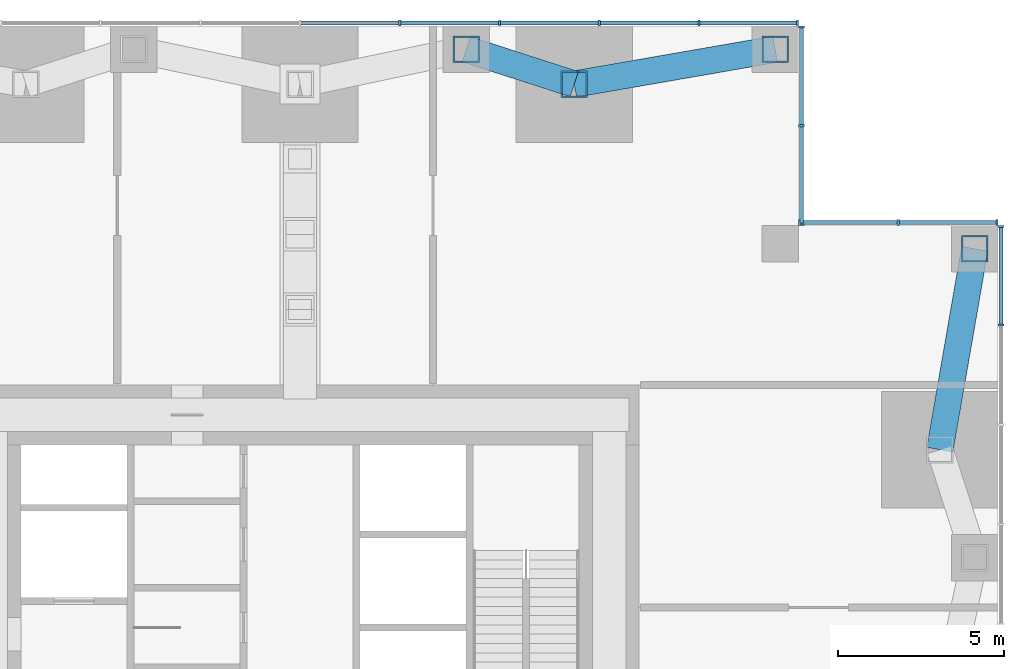
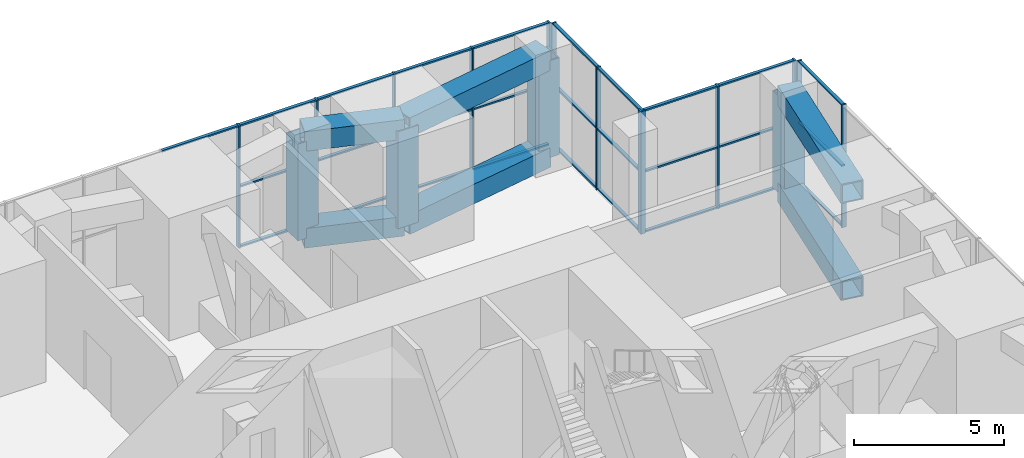
# One storey, part 8 of 13: 51 members, 4 elements without a shape of their own.
"""IFC4 building model written with IfcOpenShell, lengths in metres."""

from ifc_helpers import new_model, si_unit, direction, frame, origin, origin_2d, place, context, subcontext, project, spatial, rectangle, hollow_rectangle, extrude, material, material_profile, profile_set, type_object, element, aggregate, save


model = new_model("IFC4")

# Units and contexts
model_context = context("Model", 3, precision=1e-05, world=origin(), true_north=direction((0.0, 1.0)))
body_context = subcontext(model_context, "Body", "Model", "MODEL_VIEW")
ifc_project = project(units=[si_unit("LENGTHUNIT", "METRE"), si_unit("AREAUNIT", "SQUARE_METRE"), si_unit("VOLUMEUNIT", "CUBIC_METRE"), si_unit("PLANEANGLEUNIT", "RADIAN"), si_unit("MASSUNIT", "GRAM", prefix="KILO")], contexts=[model_context])

# Site, building, storey
site_placement = place(None, origin())
site = spatial("IfcSite", under=ifc_project, at=site_placement, CompositionType="ELEMENT")
building_placement = place(site_placement, origin())
building = spatial("IfcBuilding", under=site, at=building_placement, Name="Svetlomir Tower", CompositionType="ELEMENT")
storey_placement = place(building_placement, frame((0.0, 0.0, 86.5)))
storey = spatial("IfcBuildingStorey", under=building, at=storey_placement, Name="L20", CompositionType="ELEMENT", Elevation=86.5)

# Members
ifc_material_1 = material(Name="Steel S355", Category="steel")
ifc_material_profile_1 = material_profile(ifc_material_1, hollow_rectangle(XDim=0.800048828125, YDim=0.800048828125, WallThickness=0.050048828125, at=origin_2d()), Name="BOX 800x800x50")
ifc_profile_set_1 = profile_set([ifc_material_profile_1], Name="Steel S355")
member_type_1 = type_object("IfcMemberType", Name="BELT FRAME CHORD BOX 800x800x50", PredefinedType="CHORD", material=ifc_profile_set_1)
for number, where, z_axis, x_axis, name in (
    (1, (26.0, 41.300048828125, 0.39990234375), (0.951566360503, -0.307443428225, 0.0), (0.307443428225, 0.951566360503, 0.0), "Belt frame N L20 bottom chord 5"),
    (2, (26.0, 41.300048828125, 4.35009765625), (0.951566360503, -0.307443428225, 0.0), (0.307443428225, 0.951566360503, 0.0), "Belt frame N L20 top chord 5"),
):
    element("IfcMember", number, at=place(storey_placement, frame(where, z_axis=z_axis, x_axis=x_axis)), inside=storey, type_object=member_type_1, Name=name, PredefinedType="CHORD", context=body_context, shape_type="SweptSolid", body=[
        extrude(hollow_rectangle(XDim=0.800048828125, YDim=0.800048828125, WallThickness=0.050048828125, at=origin_2d()), origin(), (0.0, 0.0, 1.0), 3.41552734375),
    ])
for number, where, z_axis, x_axis, name in (
    (3, (29.25, 40.25, 0.39990234375), (0.985270350891, 0.171003905378, 0.0), (-0.171003905378, 0.985270350891, 0.0), "Belt frame N L20 bottom chord 6"),
    (4, (29.25, 40.25, 4.35009765625), (0.985270350891, 0.171003905378, 0.0), (-0.171003905378, 0.985270350891, 0.0), "Belt frame N L20 top chord 6"),
    (5, (40.25, 29.25, 0.39990234375), (0.171003905378, 0.985270350891, 0.0), (-0.985270350891, 0.171003905378, 0.0), "Belt frame E L20 bottom chord 6"),
    (6, (40.25, 29.25, 4.35009765625), (0.171003905378, 0.985270350891, 0.0), (-0.985270350891, 0.171003905378, 0.0), "Belt frame E L20 top chord 6"),
):
    element("IfcMember", number, at=place(storey_placement, frame(where, z_axis=z_axis, x_axis=x_axis)), inside=storey, type_object=member_type_1, Name=name, PredefinedType="CHORD", context=body_context, shape_type="SweptSolid", body=[
        extrude(hollow_rectangle(XDim=0.800048828125, YDim=0.800048828125, WallThickness=0.050048828125, at=origin_2d()), origin(), (0.0, 0.0, 1.0), 6.140380859375),
    ])
ifc_material_2 = material(Name="Steel S355", Category="steel")
ifc_material_profile_2 = material_profile(ifc_material_2, hollow_rectangle(XDim=0.800048828125, YDim=0.800048828125, WallThickness=0.050048828125, at=origin_2d()), Name="BOX 800x800x50")
ifc_profile_set_2 = profile_set([ifc_material_profile_2], Name="Steel S355")
member_type_2 = type_object("IfcMemberType", Name="BELT FRAME POST BOX 800x800x50", PredefinedType="POST", material=ifc_profile_set_2)
for number, where, z_axis, x_axis, name in (
    (7, (26.0, 41.300048828125, 0.39990234375), (0.0, 0.0, 1.0), (1.0, 0.0, 0.0), "Belt frame N L20 post 5"),
    (8, (29.25, 40.25, 0.39990234375), (0.0, 0.0, 1.0), (1.0, 0.0, 0.0), "Belt frame N L20 post 6"),
    (9, (35.300048828125, 41.300048828125, 0.39990234375), (0.0, 0.0, 1.0), (1.0, 0.0, 0.0), "Belt frame N L20 post 7"),
    (10, (41.300048828125, 35.300048828125, 0.39990234375), (0.0, 0.0, 1.0), (1.0, 0.0, 0.0), "Belt frame E L20 post 7"),
):
    element("IfcMember", number, at=place(storey_placement, frame(where, z_axis=z_axis, x_axis=x_axis)), inside=storey, type_object=member_type_2, Name=name, PredefinedType="POST", context=body_context, shape_type="SweptSolid", body=[
        extrude(hollow_rectangle(XDim=0.800048828125, YDim=0.800048828125, WallThickness=0.050048828125, at=origin_2d()), origin(), (0.0, 0.0, 1.0), 3.9501953125),
    ])

# Curtain wall, members
ifc_material_3 = material(Name="Bronze anodised aluminium curtain wall", Category="aluminium")
curtain_wall_type = type_object("IfcCurtainWallType", Name="CURTAIN WALL CW3 PLANT LOUVRE", PredefinedType="NOTDEFINED", material=ifc_material_3)
curtain_wall_1_placement = place(storey_placement, origin())
curtain_wall_1 = element("IfcCurtainWall", 11, at=curtain_wall_1_placement, inside=storey, type_object=curtain_wall_type, Name="Curtain wall CW3 L20", PredefinedType="NOTDEFINED")
ifc_material_4 = material(Name="Bronze anodised aluminium", Category="aluminium")
ifc_material_profile_3 = material_profile(ifc_material_4, rectangle(XDim=0.06494140625, YDim=0.179931640625, at=origin_2d()), Name="AL 65x180")
ifc_profile_set_3 = profile_set([ifc_material_profile_3], Name="Bronze anodised aluminium 6063-T6")
member_type_3 = type_object("IfcMemberType", Name="CW3 MULLION 65x180", PredefinedType="MULLION", material=ifc_profile_set_3)
member_1_placement = place(storey_placement, frame((42.090087890625, 33.0, 0.0), z_axis=(0.0, 0.0, 1.0), x_axis=(0.0, 1.0, 0.0)))
member_1 = element("IfcMember", 12, at=member_1_placement, type_object=member_type_3, Name="CW3 mullion 10", PredefinedType="MULLION", context=body_context, shape_type="SweptSolid", body=[
    extrude(rectangle(XDim=0.06494140625, YDim=0.179931640625, at=origin_2d()), origin(), (0.0, 0.0, 1.0), 5.0),
])
member_2_placement = place(storey_placement, frame((42.090087890625, 35.967529296875, 0.0), z_axis=(0.0, 0.0, 1.0), x_axis=(0.0, 1.0, 0.0)))
member_2 = element("IfcMember", 13, at=member_2_placement, type_object=member_type_3, Name="CW3 mullion 11", PredefinedType="MULLION", context=body_context, shape_type="SweptSolid", body=[
    extrude(rectangle(XDim=0.06494140625, YDim=0.179931640625, at=origin_2d()), origin(), (0.0, 0.0, 1.0), 5.0),
])

curtain_wall_2_placement = place(storey_placement, origin())
curtain_wall_2 = element("IfcCurtainWall", 14, at=curtain_wall_2_placement, inside=storey, type_object=curtain_wall_type, Name="Curtain wall CW3 L20", PredefinedType="NOTDEFINED")
member_3_placement = place(storey_placement, frame((41.967529296875, 36.090087890625, 0.0), z_axis=(0.0, 0.0, 1.0), x_axis=(-1.0, 0.0, 0.0)))
member_3 = element("IfcMember", 15, at=member_3_placement, type_object=member_type_3, Name="CW3 mullion 1", PredefinedType="MULLION", context=body_context, shape_type="SweptSolid", body=[
    extrude(rectangle(XDim=0.06494140625, YDim=0.179931640625, at=origin_2d()), origin(), (0.0, 0.0, 1.0), 5.0),
])
member_4_placement = place(storey_placement, frame((39.0, 36.090087890625, 0.0), z_axis=(0.0, 0.0, 1.0), x_axis=(-1.0, 0.0, 0.0)))
member_4 = element("IfcMember", 16, at=member_4_placement, type_object=member_type_3, Name="CW3 mullion 2", PredefinedType="MULLION", context=body_context, shape_type="SweptSolid", body=[
    extrude(rectangle(XDim=0.06494140625, YDim=0.179931640625, at=origin_2d()), origin(), (0.0, 0.0, 1.0), 5.0),
])
member_5_placement = place(storey_placement, frame((36.032470703125, 36.090087890625, 0.0), z_axis=(0.0, 0.0, 1.0), x_axis=(-1.0, 0.0, 0.0)))
member_5 = element("IfcMember", 17, at=member_5_placement, type_object=member_type_3, Name="CW3 mullion 3", PredefinedType="MULLION", context=body_context, shape_type="SweptSolid", body=[
    extrude(rectangle(XDim=0.06494140625, YDim=0.179931640625, at=origin_2d()), origin(), (0.0, 0.0, 1.0), 5.0),
])

curtain_wall_3_placement = place(storey_placement, origin())
curtain_wall_3 = element("IfcCurtainWall", 18, at=curtain_wall_3_placement, inside=storey, type_object=curtain_wall_type, Name="Curtain wall CW3 L20", PredefinedType="NOTDEFINED")
member_6_placement = place(storey_placement, frame((36.090087890625, 36.032470703125, 0.0), z_axis=(0.0, 0.0, 1.0), x_axis=(0.0, 1.0, 0.0)))
member_6 = element("IfcMember", 19, at=member_6_placement, type_object=member_type_3, Name="CW3 mullion 1", PredefinedType="MULLION", context=body_context, shape_type="SweptSolid", body=[
    extrude(rectangle(XDim=0.06494140625, YDim=0.179931640625, at=origin_2d()), origin(), (0.0, 0.0, 1.0), 5.0),
])
member_7_placement = place(storey_placement, frame((36.090087890625, 39.0, 0.0), z_axis=(0.0, 0.0, 1.0), x_axis=(0.0, 1.0, 0.0)))
member_7 = element("IfcMember", 20, at=member_7_placement, type_object=member_type_3, Name="CW3 mullion 2", PredefinedType="MULLION", context=body_context, shape_type="SweptSolid", body=[
    extrude(rectangle(XDim=0.06494140625, YDim=0.179931640625, at=origin_2d()), origin(), (0.0, 0.0, 1.0), 5.0),
])
member_8_placement = place(storey_placement, frame((36.090087890625, 41.967529296875, 0.0), z_axis=(0.0, 0.0, 1.0), x_axis=(0.0, 1.0, 0.0)))
member_8 = element("IfcMember", 21, at=member_8_placement, type_object=member_type_3, Name="CW3 mullion 3", PredefinedType="MULLION", context=body_context, shape_type="SweptSolid", body=[
    extrude(rectangle(XDim=0.06494140625, YDim=0.179931640625, at=origin_2d()), origin(), (0.0, 0.0, 1.0), 5.0),
])

curtain_wall_4_placement = place(storey_placement, origin())
curtain_wall_4 = element("IfcCurtainWall", 22, at=curtain_wall_4_placement, inside=storey, type_object=curtain_wall_type, Name="Curtain wall CW3 L20", PredefinedType="NOTDEFINED")
member_9_placement = place(storey_placement, frame((35.967529296875, 42.090087890625, 0.0), z_axis=(0.0, 0.0, 1.0), x_axis=(-1.0, 0.0, 0.0)))
member_9 = element("IfcMember", 23, at=member_9_placement, type_object=member_type_3, Name="CW3 mullion 1", PredefinedType="MULLION", context=body_context, shape_type="SweptSolid", body=[
    extrude(rectangle(XDim=0.06494140625, YDim=0.179931640625, at=origin_2d()), origin(), (0.0, 0.0, 1.0), 5.0),
])
member_10_placement = place(storey_placement, frame((33.0, 42.090087890625, 0.0), z_axis=(0.0, 0.0, 1.0), x_axis=(-1.0, 0.0, 0.0)))
member_10 = element("IfcMember", 24, at=member_10_placement, type_object=member_type_3, Name="CW3 mullion 2", PredefinedType="MULLION", context=body_context, shape_type="SweptSolid", body=[
    extrude(rectangle(XDim=0.06494140625, YDim=0.179931640625, at=origin_2d()), origin(), (0.0, 0.0, 1.0), 5.0),
])
member_11_placement = place(storey_placement, frame((30.0, 42.090087890625, 0.0), z_axis=(0.0, 0.0, 1.0), x_axis=(-1.0, 0.0, 0.0)))
member_11 = element("IfcMember", 25, at=member_11_placement, type_object=member_type_3, Name="CW3 mullion 3", PredefinedType="MULLION", context=body_context, shape_type="SweptSolid", body=[
    extrude(rectangle(XDim=0.06494140625, YDim=0.179931640625, at=origin_2d()), origin(), (0.0, 0.0, 1.0), 5.0),
])
member_12_placement = place(storey_placement, frame((27.0, 42.090087890625, 0.0), z_axis=(0.0, 0.0, 1.0), x_axis=(-1.0, 0.0, 0.0)))
member_12 = element("IfcMember", 26, at=member_12_placement, type_object=member_type_3, Name="CW3 mullion 4", PredefinedType="MULLION", context=body_context, shape_type="SweptSolid", body=[
    extrude(rectangle(XDim=0.06494140625, YDim=0.179931640625, at=origin_2d()), origin(), (0.0, 0.0, 1.0), 5.0),
])
member_13_placement = place(storey_placement, frame((24.0, 42.090087890625, 0.0), z_axis=(0.0, 0.0, 1.0), x_axis=(-1.0, 0.0, 0.0)))
member_13 = element("IfcMember", 27, at=member_13_placement, type_object=member_type_3, Name="CW3 mullion 5", PredefinedType="MULLION", context=body_context, shape_type="SweptSolid", body=[
    extrude(rectangle(XDim=0.06494140625, YDim=0.179931640625, at=origin_2d()), origin(), (0.0, 0.0, 1.0), 5.0),
])

# Member
ifc_material_5 = material(Name="Bronze anodised aluminium", Category="aluminium")
ifc_material_profile_4 = material_profile(ifc_material_5, rectangle(XDim=0.1201171875, YDim=0.06494140625, at=origin_2d()), Name="AL 120x65")
ifc_profile_set_4 = profile_set([ifc_material_profile_4], Name="Bronze anodised aluminium 6063-T6")
member_type_4 = type_object("IfcMemberType", Name="CW3 TRANSOM 65x120", PredefinedType="USERDEFINED", material=ifc_profile_set_4)
member_14_placement = place(storey_placement, frame((42.090087890625, 33.032470703125, 0.032470703125), z_axis=(0.0, 1.0, 0.0), x_axis=(-1.0, 0.0, 0.0)))
member_14 = element("IfcMember", 28, at=member_14_placement, type_object=member_type_4, Name="CW3 transom 10.1", ObjectType="TRANSOM", PredefinedType="USERDEFINED", context=body_context, shape_type="SweptSolid", body=[
    extrude(rectangle(XDim=0.1201171875, YDim=0.06494140625, at=origin_2d()), origin(), (0.0, 0.0, 1.0), 2.902587890625),
])

member_15_placement = place(storey_placement, frame((42.090087890625, 33.032470703125, 2.48388671875), z_axis=(0.0, 1.0, 0.0), x_axis=(-1.0, 0.0, 0.0)))
member_15 = element("IfcMember", 29, at=member_15_placement, type_object=member_type_4, Name="CW3 transom 10.2", ObjectType="TRANSOM", PredefinedType="USERDEFINED", context=body_context, shape_type="SweptSolid", body=[
    extrude(rectangle(XDim=0.1201171875, YDim=0.06494140625, at=origin_2d()), origin(), (0.0, 0.0, 1.0), 2.902587890625),
])

member_16_placement = place(storey_placement, frame((42.090087890625, 33.032470703125, 4.967529296875), z_axis=(0.0, 1.0, 0.0), x_axis=(-1.0, 0.0, 0.0)))
member_16 = element("IfcMember", 30, at=member_16_placement, type_object=member_type_4, Name="CW3 transom 10.3", ObjectType="TRANSOM", PredefinedType="USERDEFINED", context=body_context, shape_type="SweptSolid", body=[
    extrude(rectangle(XDim=0.1201171875, YDim=0.06494140625, at=origin_2d()), origin(), (0.0, 0.0, 1.0), 2.902587890625),
])

aggregate(curtain_wall_1, [member_1, member_2, member_14, member_15, member_16])

member_17_placement = place(storey_placement, frame((41.93505859375, 36.090087890625, 0.032470703125), z_axis=(-1.0, 0.0, 0.0), x_axis=(0.0, -1.0, 0.0)))
member_17 = element("IfcMember", 31, at=member_17_placement, type_object=member_type_4, Name="CW3 transom 1.1", ObjectType="TRANSOM", PredefinedType="USERDEFINED", context=body_context, shape_type="SweptSolid", body=[
    extrude(rectangle(XDim=0.1201171875, YDim=0.06494140625, at=origin_2d()), origin(), (0.0, 0.0, 1.0), 2.902587890625),
])

member_18_placement = place(storey_placement, frame((41.93505859375, 36.090087890625, 2.48388671875), z_axis=(-1.0, 0.0, 0.0), x_axis=(0.0, -1.0, 0.0)))
member_18 = element("IfcMember", 32, at=member_18_placement, type_object=member_type_4, Name="CW3 transom 1.2", ObjectType="TRANSOM", PredefinedType="USERDEFINED", context=body_context, shape_type="SweptSolid", body=[
    extrude(rectangle(XDim=0.1201171875, YDim=0.06494140625, at=origin_2d()), origin(), (0.0, 0.0, 1.0), 2.902587890625),
])

member_19_placement = place(storey_placement, frame((41.93505859375, 36.090087890625, 4.967529296875), z_axis=(-1.0, 0.0, 0.0), x_axis=(0.0, -1.0, 0.0)))
member_19 = element("IfcMember", 33, at=member_19_placement, type_object=member_type_4, Name="CW3 transom 1.3", ObjectType="TRANSOM", PredefinedType="USERDEFINED", context=body_context, shape_type="SweptSolid", body=[
    extrude(rectangle(XDim=0.1201171875, YDim=0.06494140625, at=origin_2d()), origin(), (0.0, 0.0, 1.0), 2.902587890625),
])

member_20_placement = place(storey_placement, frame((38.967529296875, 36.090087890625, 0.032470703125), z_axis=(-1.0, 0.0, 0.0), x_axis=(0.0, -1.0, 0.0)))
member_20 = element("IfcMember", 34, at=member_20_placement, type_object=member_type_4, Name="CW3 transom 2.1", ObjectType="TRANSOM", PredefinedType="USERDEFINED", context=body_context, shape_type="SweptSolid", body=[
    extrude(rectangle(XDim=0.1201171875, YDim=0.06494140625, at=origin_2d()), origin(), (0.0, 0.0, 1.0), 2.902587890625),
])

member_21_placement = place(storey_placement, frame((38.967529296875, 36.090087890625, 2.48388671875), z_axis=(-1.0, 0.0, 0.0), x_axis=(0.0, -1.0, 0.0)))
member_21 = element("IfcMember", 35, at=member_21_placement, type_object=member_type_4, Name="CW3 transom 2.2", ObjectType="TRANSOM", PredefinedType="USERDEFINED", context=body_context, shape_type="SweptSolid", body=[
    extrude(rectangle(XDim=0.1201171875, YDim=0.06494140625, at=origin_2d()), origin(), (0.0, 0.0, 1.0), 2.902587890625),
])

member_22_placement = place(storey_placement, frame((38.967529296875, 36.090087890625, 4.967529296875), z_axis=(-1.0, 0.0, 0.0), x_axis=(0.0, -1.0, 0.0)))
member_22 = element("IfcMember", 36, at=member_22_placement, type_object=member_type_4, Name="CW3 transom 2.3", ObjectType="TRANSOM", PredefinedType="USERDEFINED", context=body_context, shape_type="SweptSolid", body=[
    extrude(rectangle(XDim=0.1201171875, YDim=0.06494140625, at=origin_2d()), origin(), (0.0, 0.0, 1.0), 2.902587890625),
])

aggregate(curtain_wall_2, [member_3, member_4, member_5, member_17, member_18, member_19, member_20, member_21, member_22])

member_23_placement = place(storey_placement, frame((36.090087890625, 36.06494140625, 0.032470703125), z_axis=(0.0, 1.0, 0.0), x_axis=(-1.0, 0.0, 0.0)))
member_23 = element("IfcMember", 37, at=member_23_placement, type_object=member_type_4, Name="CW3 transom 1.1", ObjectType="TRANSOM", PredefinedType="USERDEFINED", context=body_context, shape_type="SweptSolid", body=[
    extrude(rectangle(XDim=0.1201171875, YDim=0.06494140625, at=origin_2d()), origin(), (0.0, 0.0, 1.0), 2.902587890625),
])

member_24_placement = place(storey_placement, frame((36.090087890625, 36.06494140625, 2.48388671875), z_axis=(0.0, 1.0, 0.0), x_axis=(-1.0, 0.0, 0.0)))
member_24 = element("IfcMember", 38, at=member_24_placement, type_object=member_type_4, Name="CW3 transom 1.2", ObjectType="TRANSOM", PredefinedType="USERDEFINED", context=body_context, shape_type="SweptSolid", body=[
    extrude(rectangle(XDim=0.1201171875, YDim=0.06494140625, at=origin_2d()), origin(), (0.0, 0.0, 1.0), 2.902587890625),
])

member_25_placement = place(storey_placement, frame((36.090087890625, 36.06494140625, 4.967529296875), z_axis=(0.0, 1.0, 0.0), x_axis=(-1.0, 0.0, 0.0)))
member_25 = element("IfcMember", 39, at=member_25_placement, type_object=member_type_4, Name="CW3 transom 1.3", ObjectType="TRANSOM", PredefinedType="USERDEFINED", context=body_context, shape_type="SweptSolid", body=[
    extrude(rectangle(XDim=0.1201171875, YDim=0.06494140625, at=origin_2d()), origin(), (0.0, 0.0, 1.0), 2.902587890625),
])

member_26_placement = place(storey_placement, frame((36.090087890625, 39.032470703125, 0.032470703125), z_axis=(0.0, 1.0, 0.0), x_axis=(-1.0, 0.0, 0.0)))
member_26 = element("IfcMember", 40, at=member_26_placement, type_object=member_type_4, Name="CW3 transom 2.1", ObjectType="TRANSOM", PredefinedType="USERDEFINED", context=body_context, shape_type="SweptSolid", body=[
    extrude(rectangle(XDim=0.1201171875, YDim=0.06494140625, at=origin_2d()), origin(), (0.0, 0.0, 1.0), 2.902587890625),
])

member_27_placement = place(storey_placement, frame((36.090087890625, 39.032470703125, 2.48388671875), z_axis=(0.0, 1.0, 0.0), x_axis=(-1.0, 0.0, 0.0)))
member_27 = element("IfcMember", 41, at=member_27_placement, type_object=member_type_4, Name="CW3 transom 2.2", ObjectType="TRANSOM", PredefinedType="USERDEFINED", context=body_context, shape_type="SweptSolid", body=[
    extrude(rectangle(XDim=0.1201171875, YDim=0.06494140625, at=origin_2d()), origin(), (0.0, 0.0, 1.0), 2.902587890625),
])

member_28_placement = place(storey_placement, frame((36.090087890625, 39.032470703125, 4.967529296875), z_axis=(0.0, 1.0, 0.0), x_axis=(-1.0, 0.0, 0.0)))
member_28 = element("IfcMember", 42, at=member_28_placement, type_object=member_type_4, Name="CW3 transom 2.3", ObjectType="TRANSOM", PredefinedType="USERDEFINED", context=body_context, shape_type="SweptSolid", body=[
    extrude(rectangle(XDim=0.1201171875, YDim=0.06494140625, at=origin_2d()), origin(), (0.0, 0.0, 1.0), 2.902587890625),
])

aggregate(curtain_wall_3, [member_6, member_7, member_8, member_23, member_24, member_25, member_26, member_27, member_28])

member_29_placement = place(storey_placement, frame((35.93505859375, 42.090087890625, 0.032470703125), z_axis=(-1.0, 0.0, 0.0), x_axis=(0.0, -1.0, 0.0)))
member_29 = element("IfcMember", 43, at=member_29_placement, type_object=member_type_4, Name="CW3 transom 1.1", ObjectType="TRANSOM", PredefinedType="USERDEFINED", context=body_context, shape_type="SweptSolid", body=[
    extrude(rectangle(XDim=0.1201171875, YDim=0.06494140625, at=origin_2d()), origin(), (0.0, 0.0, 1.0), 2.902587890625),
])

member_30_placement = place(storey_placement, frame((35.93505859375, 42.090087890625, 2.48388671875), z_axis=(-1.0, 0.0, 0.0), x_axis=(0.0, -1.0, 0.0)))
member_30 = element("IfcMember", 44, at=member_30_placement, type_object=member_type_4, Name="CW3 transom 1.2", ObjectType="TRANSOM", PredefinedType="USERDEFINED", context=body_context, shape_type="SweptSolid", body=[
    extrude(rectangle(XDim=0.1201171875, YDim=0.06494140625, at=origin_2d()), origin(), (0.0, 0.0, 1.0), 2.902587890625),
])

member_31_placement = place(storey_placement, frame((35.93505859375, 42.090087890625, 4.967529296875), z_axis=(-1.0, 0.0, 0.0), x_axis=(0.0, -1.0, 0.0)))
member_31 = element("IfcMember", 45, at=member_31_placement, type_object=member_type_4, Name="CW3 transom 1.3", ObjectType="TRANSOM", PredefinedType="USERDEFINED", context=body_context, shape_type="SweptSolid", body=[
    extrude(rectangle(XDim=0.1201171875, YDim=0.06494140625, at=origin_2d()), origin(), (0.0, 0.0, 1.0), 2.902587890625),
])

member_32_placement = place(storey_placement, frame((32.967529296875, 42.090087890625, 0.032470703125), z_axis=(-1.0, 0.0, 0.0), x_axis=(0.0, -1.0, 0.0)))
member_32 = element("IfcMember", 46, at=member_32_placement, type_object=member_type_4, Name="CW3 transom 2.1", ObjectType="TRANSOM", PredefinedType="USERDEFINED", context=body_context, shape_type="SweptSolid", body=[
    extrude(rectangle(XDim=0.1201171875, YDim=0.06494140625, at=origin_2d()), origin(), (0.0, 0.0, 1.0), 2.93505859375),
])

member_33_placement = place(storey_placement, frame((32.967529296875, 42.090087890625, 2.48388671875), z_axis=(-1.0, 0.0, 0.0), x_axis=(0.0, -1.0, 0.0)))
member_33 = element("IfcMember", 47, at=member_33_placement, type_object=member_type_4, Name="CW3 transom 2.2", ObjectType="TRANSOM", PredefinedType="USERDEFINED", context=body_context, shape_type="SweptSolid", body=[
    extrude(rectangle(XDim=0.1201171875, YDim=0.06494140625, at=origin_2d()), origin(), (0.0, 0.0, 1.0), 2.93505859375),
])

member_34_placement = place(storey_placement, frame((32.967529296875, 42.090087890625, 4.967529296875), z_axis=(-1.0, 0.0, 0.0), x_axis=(0.0, -1.0, 0.0)))
member_34 = element("IfcMember", 48, at=member_34_placement, type_object=member_type_4, Name="CW3 transom 2.3", ObjectType="TRANSOM", PredefinedType="USERDEFINED", context=body_context, shape_type="SweptSolid", body=[
    extrude(rectangle(XDim=0.1201171875, YDim=0.06494140625, at=origin_2d()), origin(), (0.0, 0.0, 1.0), 2.93505859375),
])

member_35_placement = place(storey_placement, frame((29.967529296875, 42.090087890625, 0.032470703125), z_axis=(-1.0, 0.0, 0.0), x_axis=(0.0, -1.0, 0.0)))
member_35 = element("IfcMember", 49, at=member_35_placement, type_object=member_type_4, Name="CW3 transom 3.1", ObjectType="TRANSOM", PredefinedType="USERDEFINED", context=body_context, shape_type="SweptSolid", body=[
    extrude(rectangle(XDim=0.1201171875, YDim=0.06494140625, at=origin_2d()), origin(), (0.0, 0.0, 1.0), 2.93505859375),
])

member_36_placement = place(storey_placement, frame((29.967529296875, 42.090087890625, 2.48388671875), z_axis=(-1.0, 0.0, 0.0), x_axis=(0.0, -1.0, 0.0)))
member_36 = element("IfcMember", 50, at=member_36_placement, type_object=member_type_4, Name="CW3 transom 3.2", ObjectType="TRANSOM", PredefinedType="USERDEFINED", context=body_context, shape_type="SweptSolid", body=[
    extrude(rectangle(XDim=0.1201171875, YDim=0.06494140625, at=origin_2d()), origin(), (0.0, 0.0, 1.0), 2.93505859375),
])

member_37_placement = place(storey_placement, frame((29.967529296875, 42.090087890625, 4.967529296875), z_axis=(-1.0, 0.0, 0.0), x_axis=(0.0, -1.0, 0.0)))
member_37 = element("IfcMember", 51, at=member_37_placement, type_object=member_type_4, Name="CW3 transom 3.3", ObjectType="TRANSOM", PredefinedType="USERDEFINED", context=body_context, shape_type="SweptSolid", body=[
    extrude(rectangle(XDim=0.1201171875, YDim=0.06494140625, at=origin_2d()), origin(), (0.0, 0.0, 1.0), 2.93505859375),
])

member_38_placement = place(storey_placement, frame((26.967529296875, 42.090087890625, 0.032470703125), z_axis=(-1.0, 0.0, 0.0), x_axis=(0.0, -1.0, 0.0)))
member_38 = element("IfcMember", 52, at=member_38_placement, type_object=member_type_4, Name="CW3 transom 4.1", ObjectType="TRANSOM", PredefinedType="USERDEFINED", context=body_context, shape_type="SweptSolid", body=[
    extrude(rectangle(XDim=0.1201171875, YDim=0.06494140625, at=origin_2d()), origin(), (0.0, 0.0, 1.0), 2.93505859375),
])

member_39_placement = place(storey_placement, frame((26.967529296875, 42.090087890625, 2.48388671875), z_axis=(-1.0, 0.0, 0.0), x_axis=(0.0, -1.0, 0.0)))
member_39 = element("IfcMember", 53, at=member_39_placement, type_object=member_type_4, Name="CW3 transom 4.2", ObjectType="TRANSOM", PredefinedType="USERDEFINED", context=body_context, shape_type="SweptSolid", body=[
    extrude(rectangle(XDim=0.1201171875, YDim=0.06494140625, at=origin_2d()), origin(), (0.0, 0.0, 1.0), 2.93505859375),
])

member_40_placement = place(storey_placement, frame((26.967529296875, 42.090087890625, 4.967529296875), z_axis=(-1.0, 0.0, 0.0), x_axis=(0.0, -1.0, 0.0)))
member_40 = element("IfcMember", 54, at=member_40_placement, type_object=member_type_4, Name="CW3 transom 4.3", ObjectType="TRANSOM", PredefinedType="USERDEFINED", context=body_context, shape_type="SweptSolid", body=[
    extrude(rectangle(XDim=0.1201171875, YDim=0.06494140625, at=origin_2d()), origin(), (0.0, 0.0, 1.0), 2.93505859375),
])

member_41_placement = place(storey_placement, frame((23.967529296875, 42.090087890625, 4.967529296875), z_axis=(-1.0, 0.0, 0.0), x_axis=(0.0, -1.0, 0.0)))
member_41 = element("IfcMember", 55, at=member_41_placement, type_object=member_type_4, Name="CW3 transom 5.3", ObjectType="TRANSOM", PredefinedType="USERDEFINED", context=body_context, shape_type="SweptSolid", body=[
    extrude(rectangle(XDim=0.1201171875, YDim=0.06494140625, at=origin_2d()), origin(), (0.0, 0.0, 1.0), 2.93505859375),
])

aggregate(curtain_wall_4, [member_9, member_10, member_11, member_12, member_13, member_29, member_30, member_31, member_32, member_33, member_34, member_35, member_36, member_37, member_38, member_39, member_40, member_41])

save(model, "model.ifc")
